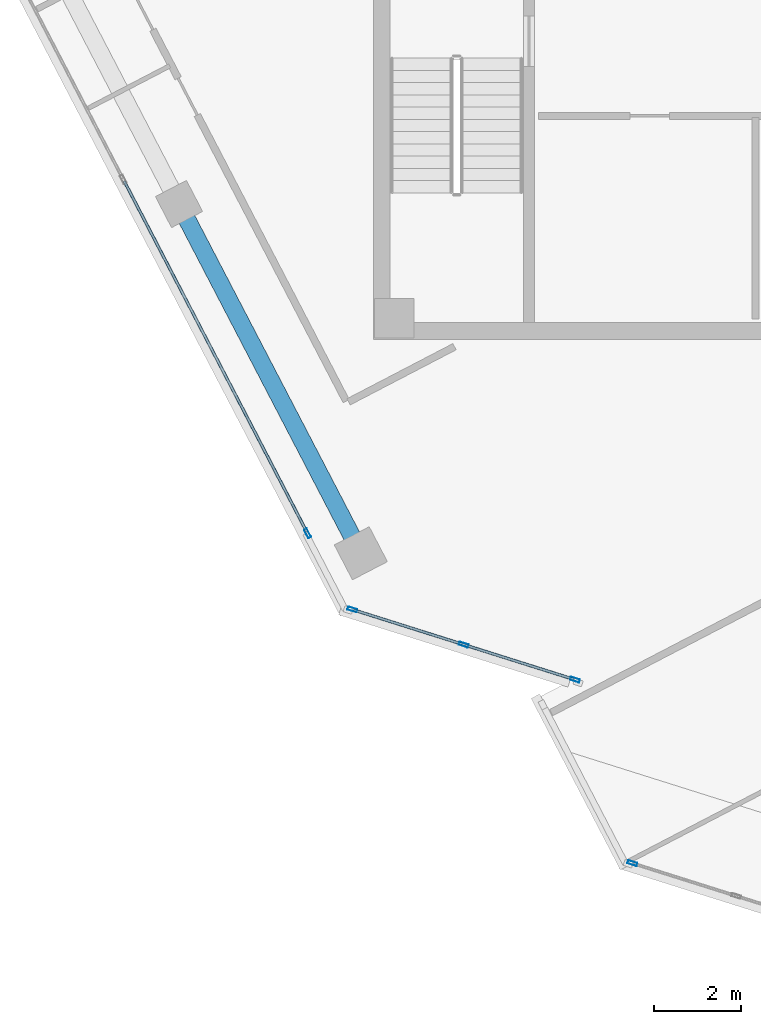
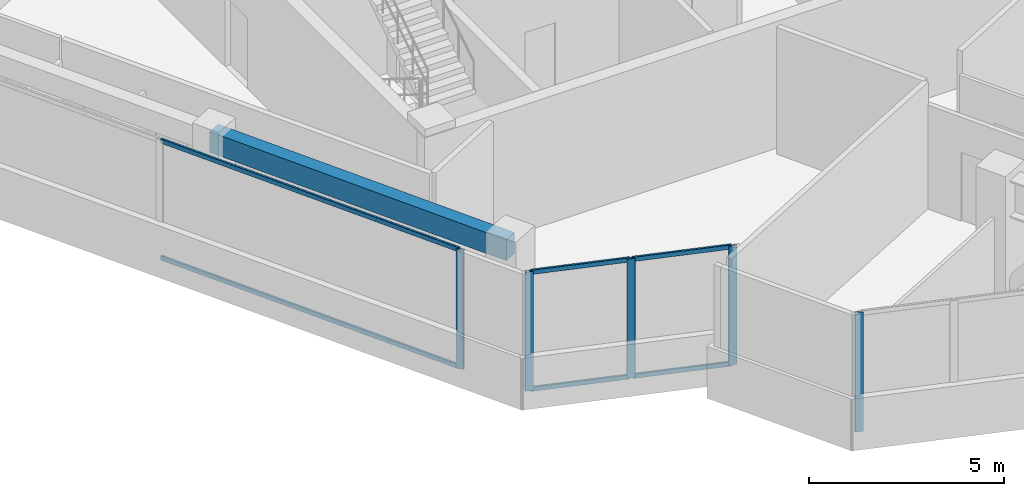
# One storey, part 2 of 17: 11 members, 1 beam, 3 elements without a shape of their own.
"""IFC4 building model written with IfcOpenShell, lengths in metres."""

import ifcopenshell
import ifcopenshell.guid

model = None  # the IFC model being written
_history = None  # IfcOwnerHistory: only IFC2X3 demands one
_inside = {}  # id of a spatial element -> (the spatial element, [elements in it])
_under = {}  # id of a project, library or spatial element -> (it, [spatial elements below it])
_declared = {}  # id of a project -> (the project, [libraries it declares])
_typed = {}  # id of a type object -> (the type object, [elements of that type])
_made_of = {}  # id of a material, layer set ... -> (it, [elements and type objects made of it])


def new_model(schema):
    """Start an empty IFC model of exactly this schema.

    Asked for "IFC4X3", IfcOpenShell would pick the latest addendum, in which some entities
    have other attributes; the version numbers below select the first issue.
    IFC2X3 requires an IfcOwnerHistory on every rooted entity: one is made here for all.
    """
    global model, _history
    if schema == "IFC4X3":
        model = ifcopenshell.file(schema_version=(4, 3, 0, 0))
    else:
        model = ifcopenshell.file(schema=schema)
    _inside.clear()
    _under.clear()
    _declared.clear()
    _typed.clear()
    _made_of.clear()
    _history = None
    if model.schema == "IFC2X3":
        org = make("IfcOrganization", Name="unknown")
        user = make(
            "IfcPersonAndOrganization",
            ThePerson=make("IfcPerson", FamilyName="unknown"),
            TheOrganization=org,
        )
        app = make(
            "IfcApplication",
            ApplicationDeveloper=org,
            Version="unknown",
            ApplicationFullName="unknown",
            ApplicationIdentifier="unknown",
        )
        _history = make(
            "IfcOwnerHistory",
            OwningUser=user,
            OwningApplication=app,
            ChangeAction="ADDED",
            CreationDate=0,
        )
    return model


def make(cls, **values):
    """One entity of the class cls with the attributes given. An attribute that is None is left unset."""
    return model.create_entity(
        cls, **{name: value for name, value in values.items() if value is not None}
    )


def rooted(cls, **values):
    """An entity with a GlobalId (a new one), such as an element, a storey or a relation."""
    return make(cls, GlobalId=ifcopenshell.guid.new(), OwnerHistory=_history, **values)


def si_unit(unit_type, name, prefix=None):
    """IfcSIUnit, for example si_unit("LENGTHUNIT", "METRE", prefix="MILLI")."""
    return make("IfcSIUnit", UnitType=unit_type, Prefix=prefix, Name=name)


def assignment(units):
    """IfcUnitAssignment: the units of a project."""
    return None if units is None else make("IfcUnitAssignment", Units=units)


def point(xyz):
    """IfcCartesianPoint."""
    return None if xyz is None else make("IfcCartesianPoint", Coordinates=xyz)


def direction(xyz):
    """IfcDirection."""
    return None if xyz is None else make("IfcDirection", DirectionRatios=xyz)


def frame(location, z_axis=None, x_axis=None):
    """IfcAxis2Placement3D, a coordinate frame: its origin and axes. An axis left out is left unset."""
    return make(
        "IfcAxis2Placement3D",
        Location=point(location),
        Axis=direction(z_axis),
        RefDirection=direction(x_axis),
    )


def frame_2d(location, x_axis=None):
    """IfcAxis2Placement2D, a coordinate frame in the plane: its origin and x axis."""
    return make(
        "IfcAxis2Placement2D", Location=point(location), RefDirection=direction(x_axis)
    )


def origin():
    """The frame at (0, 0, 0) with its axes left unset."""
    return frame((0.0, 0.0, 0.0))


def origin_2d():
    """The frame at (0, 0) in the plane with its x axis left unset."""
    return frame_2d((0.0, 0.0))


def place(relative_to, where):
    """IfcLocalPlacement: puts the frame where relative to a parent placement (None: the world)."""
    return make(
        "IfcLocalPlacement", PlacementRelTo=relative_to, RelativePlacement=where
    )


def context(
    kind, dimensions, precision=None, world=None, true_north=None, identifier=None
):
    """IfcGeometricRepresentationContext, for example the 3D "Model" context."""
    return make(
        "IfcGeometricRepresentationContext",
        ContextIdentifier=identifier,
        ContextType=kind,
        CoordinateSpaceDimension=dimensions,
        Precision=precision,
        WorldCoordinateSystem=world,
        TrueNorth=true_north,
    )


def subcontext(parent, identifier, kind, view, scale=None):
    """IfcGeometricRepresentationSubContext, for example "Body" below "Model"."""
    return make(
        "IfcGeometricRepresentationSubContext",
        ContextIdentifier=identifier,
        ContextType=kind,
        ParentContext=parent,
        TargetScale=scale,
        TargetView=view,
    )


def project(units=None, contexts=None):
    """IfcProject with its units and contexts."""
    return rooted(
        "IfcProject",
        Name="project",
        RepresentationContexts=contexts,
        UnitsInContext=assignment(units),
    )


def spatial(cls, under=None, at=None, **own):
    """A site, building, storey or space (cls), placed at a placement, below another one or the project."""
    s = rooted(cls, ObjectPlacement=at, **own)
    if under is not None:
        _under.setdefault(under.id(), (under, []))[1].append(s)
    return s


def profile(cls, at=None, kind="AREA", **sizes):
    """A parametric profile (cls). Its sizes go by their IFC names, for example OverallWidth=200.0."""
    return make(cls, ProfileType=kind, Position=at, **sizes)


def rectangle(**sizes):
    """IfcRectangleProfileDef."""
    return profile("IfcRectangleProfileDef", **sizes)


def hollow_rectangle(**sizes):
    """IfcRectangleHollowProfileDef."""
    return profile("IfcRectangleHollowProfileDef", **sizes)


def extrude(swept, where, along, depth):
    """IfcExtrudedAreaSolid: the profile swept, set in the frame where, extruded along a direction by depth."""
    return make(
        "IfcExtrudedAreaSolid",
        SweptArea=swept,
        Position=where,
        ExtrudedDirection=direction(along),
        Depth=depth,
    )


def shape(context_of_items, identifier, shape_type, items):
    """IfcShapeRepresentation: the items that make up one representation, for example the "Body"."""
    return make(
        "IfcShapeRepresentation",
        ContextOfItems=context_of_items,
        RepresentationIdentifier=identifier,
        RepresentationType=shape_type,
        Items=items,
    )


def source(mapping_origin, context_of_items, identifier, shape_type, items):
    """IfcRepresentationMap: a shape defined once, which mapped items show again and again."""
    return make(
        "IfcRepresentationMap",
        MappingOrigin=mapping_origin,
        MappedRepresentation=shape(context_of_items, identifier, shape_type, items),
    )


def transform(
    local_origin,
    x_axis=None,
    y_axis=None,
    z_axis=None,
    scale=None,
    scale2=None,
    scale3=None,
    uniform=True,
):
    """IfcCartesianTransformationOperator3D, or its non-uniform kind. x_axis, y_axis, z_axis: its Axis1, 2, 3."""
    if uniform:
        return make(
            "IfcCartesianTransformationOperator3D",
            Axis1=direction(x_axis),
            Axis2=direction(y_axis),
            LocalOrigin=point(local_origin),
            Scale=scale,
            Axis3=direction(z_axis),
        )
    return make(
        "IfcCartesianTransformationOperator3DnonUniform",
        Axis1=direction(x_axis),
        Axis2=direction(y_axis),
        LocalOrigin=point(local_origin),
        Scale=scale,
        Axis3=direction(z_axis),
        Scale2=scale2,
        Scale3=scale3,
    )


def mapped(mapping_source, mapping_target):
    """IfcMappedItem: shows the shape of a source again, moved by a transform."""
    return make(
        "IfcMappedItem", MappingSource=mapping_source, MappingTarget=mapping_target
    )


def material(Name=None, Category=None):
    """IfcMaterial."""
    return make("IfcMaterial", Name=Name, Category=Category)


def material_profile(
    of_material, cross_section, Name=None, Category=None, Priority=None
):
    """IfcMaterialProfile: a cross section and its material."""
    return make(
        "IfcMaterialProfile",
        Name=Name,
        Material=of_material,
        Profile=cross_section,
        Priority=Priority,
        Category=Category,
    )


def profile_set(profiles, Name=None, composite=None):
    """IfcMaterialProfileSet."""
    return make(
        "IfcMaterialProfileSet",
        Name=Name,
        MaterialProfiles=profiles,
        CompositeProfile=composite,
    )


def made_of(thing, what):
    """Note that an element or type object is made of a material, layer set ...; save() writes the relation."""
    if what is not None:
        _made_of.setdefault(what.id(), (what, []))[1].append(thing)
    return thing


def type_object(cls, material=None, **own):
    """A type object (cls), such as IfcWallType, which elements share."""
    return made_of(rooted(cls, **own), material)


def element(
    cls,
    number,
    at=None,
    inside=None,
    cuts=None,
    type_object=None,
    material=None,
    context=None,
    identifier="Body",
    shape_type=None,
    held_by="IfcProductDefinitionShape",
    body=None,
    shapes=None,
    **own,
):
    """One element of the class cls, such as IfcWall. Its Tag is "e" and its number.

    at: its placement. inside: the storey or other place that contains it. cuts: it is an
    opening in that element (IfcRelVoidsElement). A single representation is given by context,
    identifier, shape_type and body (its items); several are given by shapes. held_by: the class
    of the entity that holds the representations. save() writes the other relations.
    """
    e = rooted(cls, Tag="e%d" % number, ObjectPlacement=at, **own)
    if body is not None:
        shapes = [shape(context, identifier, shape_type, body)]
    if shapes is not None:
        e.Representation = make(held_by, Representations=shapes)
    if inside is not None:
        _inside.setdefault(inside.id(), (inside, []))[1].append(e)
    if cuts is not None:
        rooted(
            "IfcRelVoidsElement", RelatingBuildingElement=cuts, RelatedOpeningElement=e
        )
    if type_object is not None:
        _typed.setdefault(type_object.id(), (type_object, []))[1].append(e)
    return made_of(e, material)


def aggregate(whole, parts):
    """IfcRelAggregates: a whole, such as a stair, and the parts it consists of."""
    return rooted("IfcRelAggregates", RelatingObject=whole, RelatedObjects=parts)


def save(model, path):
    """Write the relations noted so far, then the file.

    IfcRelAggregates (storeys below a building ...), IfcRelContainedInSpatialStructure (elements
    in a storey), IfcRelDefinesByType, IfcRelAssociatesMaterial and IfcRelDeclares: one each for
    every whole, place, type object, material and project.
    """
    for whole, parts in _under.values():
        aggregate(whole, parts)
    for where, things in _inside.values():
        rooted(
            "IfcRelContainedInSpatialStructure",
            RelatedElements=things,
            RelatingStructure=where,
        )
    for kind, things in _typed.values():
        rooted("IfcRelDefinesByType", RelatedObjects=things, RelatingType=kind)
    for what, things in _made_of.values():
        rooted("IfcRelAssociatesMaterial", RelatedObjects=things, RelatingMaterial=what)
    for by, libraries in _declared.values():
        rooted("IfcRelDeclares", RelatingContext=by, RelatedDefinitions=libraries)
    model.write(path)


model = new_model("IFC4")

# Units and contexts
model_context = context("Model", 3, precision=1e-05, world=origin(), true_north=direction((0.0, 1.0)))
body_context = subcontext(model_context, "Body", "Model", "MODEL_VIEW")
ifc_project = project(units=[si_unit("LENGTHUNIT", "METRE"), si_unit("AREAUNIT", "SQUARE_METRE"), si_unit("VOLUMEUNIT", "CUBIC_METRE"), si_unit("PLANEANGLEUNIT", "RADIAN"), si_unit("MASSUNIT", "GRAM", prefix="KILO")], contexts=[model_context])

# Site, building, storey
site_placement = place(None, origin())
site = spatial("IfcSite", under=ifc_project, at=site_placement, CompositionType="ELEMENT")
building_placement = place(site_placement, origin())
building = spatial("IfcBuilding", under=site, at=building_placement, Name="Torre Montelarca", CompositionType="ELEMENT")
storey_placement = place(building_placement, frame((0.0, 0.0, 332.39990234375)))
storey = spatial("IfcBuildingStorey", under=building, at=storey_placement, Name="L75", CompositionType="ELEMENT", Elevation=332.39990234375)

# Beam
ifc_material_1 = material(Name="Concrete C40/50", Category="concrete")
ifc_material_profile_1 = material_profile(ifc_material_1, rectangle(XDim=0.39990234375, YDim=0.64990234375, at=origin_2d()), Name="RCB400X650", Category="concrete")
ifc_profile_set_1 = profile_set([ifc_material_profile_1], Name="Concrete C40/50")
beam_type = type_object("IfcBeamType", Name="BM-SP-RC650-EXT", PredefinedType="SPANDREL", material=ifc_profile_set_1)
shared_shape_1 = source(origin(), body_context, "Body", "SweptSolid", [
    extrude(rectangle(XDim=0.39990234375, YDim=0.64990234375, at=origin_2d()), origin(), (0.0, 0.0, 1.0), 9.0),
])
beam_placement = place(storey_placement, frame((4.627197265625, 27.16259765625, 3.635009765625), z_axis=(0.461748143991, -0.887011077451, 0.0), x_axis=(0.887011077451, 0.461748143991, 0.0)))
element("IfcBeam", 1, at=beam_placement, inside=storey, type_object=beam_type, Name="L75 Grid Girder X 18.0-27.0 at Y=14.8", PredefinedType="SPANDREL", context=body_context, shape_type="MappedRepresentation", body=[
    mapped(shared_shape_1, transform((0.0, 0.0, 0.0), scale=1.0)),
])

# Curtain wall, members
ifc_material_2 = material(Name="Insulated low-E laminated glass", Category="glass")
curtain_wall_type = type_object("IfcCurtainWallType", Name="CW-SYS-Z4", PredefinedType="USERDEFINED", material=ifc_material_2)
curtain_wall_1_placement = place(storey_placement, origin())
curtain_wall_1 = element("IfcCurtainWall", 2, at=curtain_wall_1_placement, inside=storey, type_object=curtain_wall_type, Name="L75 Curtain Wall Run CW-T3-L75-E02-B1", ObjectType="UNITISED GLAZING", PredefinedType="USERDEFINED")
ifc_material_3 = material(Name="Anodised aluminium AA 6063-T6", Category="aluminium")
ifc_material_profile_2 = material_profile(ifc_material_3, hollow_rectangle(XDim=0.06494140625, YDim=0.139892578125, WallThickness=0.00390625, InnerFilletRadius=0.00390625, OuterFilletRadius=0.008056640625, at=origin_2d()), Name="ALU65X140X4", Category="aluminium")
ifc_profile_set_2 = profile_set([ifc_material_profile_2], Name="Anodised aluminium AA 6063-T6")
member_type_1 = type_object("IfcMemberType", Name="CWT-ALU140", PredefinedType="USERDEFINED", material=ifc_profile_set_2)
shared_shape_2 = source(origin(), body_context, "Body", "SweptSolid", [
    extrude(hollow_rectangle(XDim=0.06494140625, YDim=0.139892578125, WallThickness=0.00390625, InnerFilletRadius=0.00390625, OuterFilletRadius=0.008056640625, at=origin_2d()), origin(), (0.0, 0.0, 1.0), 2.59228515625),
])
member_1_placement = place(storey_placement, frame((11.170654296875, 17.080078125, 0.03271484375), z_axis=(0.953717783551, -0.300703158179, 0.0), x_axis=(0.300703158179, 0.953717783551, 0.0)))
member_1 = element("IfcMember", 3, at=member_1_placement, type_object=member_type_1, Name="CW transom 2.1", ObjectType="TRANSOM", PredefinedType="USERDEFINED", context=body_context, shape_type="MappedRepresentation", body=[
    mapped(shared_shape_2, transform((0.0, 0.0, 0.0), scale=1.0)),
])
member_2_placement = place(storey_placement, frame((11.170654296875, 17.080078125, 3.6875), z_axis=(0.953717783551, -0.300703158179, 0.0), x_axis=(0.300703158179, 0.953717783551, 0.0)))
member_2 = element("IfcMember", 4, at=member_2_placement, type_object=member_type_1, Name="CW transom 2.2", ObjectType="TRANSOM", PredefinedType="USERDEFINED", context=body_context, shape_type="MappedRepresentation", body=[
    mapped(shared_shape_2, transform((0.0, 0.0, 0.0), scale=1.0)),
])

# Curtain wall, member
curtain_wall_2_placement = place(storey_placement, origin())
curtain_wall_2 = element("IfcCurtainWall", 5, at=curtain_wall_2_placement, inside=storey, type_object=curtain_wall_type, Name="L75 Curtain Wall Run CW-T3-L75-E01-B1", ObjectType="UNITISED GLAZING", PredefinedType="USERDEFINED")
ifc_material_profile_3 = material_profile(ifc_material_3, hollow_rectangle(XDim=0.074951171875, YDim=0.219970703125, WallThickness=0.0048828125, InnerFilletRadius=0.0048828125, OuterFilletRadius=0.010009765625, at=origin_2d()), Name="ALU75X220X5", Category="aluminium")
ifc_profile_set_3 = profile_set([ifc_material_profile_3], Name="Anodised aluminium AA 6063-T6")
member_type_2 = type_object("IfcMemberType", Name="CWM-ALU220", PredefinedType="MULLION", material=ifc_profile_set_3)
shared_shape_3 = source(origin(), body_context, "Body", "SweptSolid", [
    extrude(hollow_rectangle(XDim=0.074951171875, YDim=0.219970703125, WallThickness=0.0048828125, InnerFilletRadius=0.0048828125, OuterFilletRadius=0.010009765625, at=origin_2d()), origin(), (0.0, 0.0, 1.0), 3.72021484375),
])
member_3_placement = place(storey_placement, frame((7.564697265625, 19.6357421875, 0.0), z_axis=(0.0, 0.0, 1.0), x_axis=(0.887011429119, 0.461747468442, 0.0)))
member_3 = element("IfcMember", 6, at=member_3_placement, type_object=member_type_2, Name="CW mullion 3", PredefinedType="MULLION", context=body_context, shape_type="MappedRepresentation", body=[
    mapped(shared_shape_3, transform((0.0, 0.0, 0.0), scale=1.0)),
])

# Member
member_4_placement = place(storey_placement, frame((8.5908203125, 17.893310546875, 0.0), z_axis=(0.0, 0.0, 1.0), x_axis=(0.300697870509, 0.953719450714, 0.0)))
member_4 = element("IfcMember", 7, at=member_4_placement, type_object=member_type_2, Name="CW mullion 1", PredefinedType="MULLION", context=body_context, shape_type="MappedRepresentation", body=[
    mapped(shared_shape_3, transform((0.0, 0.0, 0.0), scale=1.0)),
])

member_5_placement = place(storey_placement, frame((11.134765625, 17.09130859375, 0.0), z_axis=(0.0, 0.0, 1.0), x_axis=(0.300697870509, 0.953719450714, 0.0)))
member_5 = element("IfcMember", 8, at=member_5_placement, type_object=member_type_2, Name="CW mullion 2", PredefinedType="MULLION", context=body_context, shape_type="MappedRepresentation", body=[
    mapped(shared_shape_3, transform((0.0, 0.0, 0.0), scale=1.0)),
])

member_6_placement = place(storey_placement, frame((13.678955078125, 16.2890625, 0.0), z_axis=(0.0, 0.0, 1.0), x_axis=(0.300697870509, 0.953719450714, 0.0)))
member_6 = element("IfcMember", 9, at=member_6_placement, type_object=member_type_2, Name="CW mullion 3", PredefinedType="MULLION", context=body_context, shape_type="MappedRepresentation", body=[
    mapped(shared_shape_3, transform((0.0, 0.0, 0.0), scale=1.0)),
])

# Curtain wall, member
curtain_wall_3_placement = place(storey_placement, origin())
curtain_wall_3 = element("IfcCurtainWall", 10, at=curtain_wall_3_placement, inside=storey, type_object=curtain_wall_type, Name="L75 Curtain Wall Run CW-T3-L75-E05-B1", ObjectType="UNITISED GLAZING", PredefinedType="USERDEFINED")
member_7_placement = place(storey_placement, frame((14.991943359375, 12.093994140625, 0.0), z_axis=(0.0, 0.0, 1.0), x_axis=(0.300692834013, 0.953721038655, 0.0)))
member_7 = element("IfcMember", 11, at=member_7_placement, type_object=member_type_2, Name="CW mullion 1", PredefinedType="MULLION", context=body_context, shape_type="MappedRepresentation", body=[
    mapped(shared_shape_3, transform((0.0, 0.0, 0.0), scale=1.0)),
])
aggregate(curtain_wall_3, [member_7])

# Member
shared_shape_4 = source(origin(), body_context, "Body", "SweptSolid", [
    extrude(hollow_rectangle(XDim=0.06494140625, YDim=0.139892578125, WallThickness=0.00390625, InnerFilletRadius=0.00390625, OuterFilletRadius=0.008056640625, at=origin_2d()), origin(), (0.0, 0.0, 1.0), 2.592529296875),
])
member_8_placement = place(storey_placement, frame((8.62646484375, 17.882080078125, 0.03271484375), z_axis=(0.953726298, -0.300676152203, 0.0), x_axis=(0.300676152203, 0.953726298, 0.0)))
member_8 = element("IfcMember", 12, at=member_8_placement, type_object=member_type_1, Name="CW transom 1.1", ObjectType="TRANSOM", PredefinedType="USERDEFINED", context=body_context, shape_type="MappedRepresentation", body=[
    mapped(shared_shape_4, transform((0.0, 0.0, 0.0), scale=1.0)),
])

member_9_placement = place(storey_placement, frame((8.62646484375, 17.882080078125, 3.6875), z_axis=(0.953726298, -0.300676152203, 0.0), x_axis=(0.300676152203, 0.953726298, 0.0)))
member_9 = element("IfcMember", 13, at=member_9_placement, type_object=member_type_1, Name="CW transom 1.2", ObjectType="TRANSOM", PredefinedType="USERDEFINED", context=body_context, shape_type="MappedRepresentation", body=[
    mapped(shared_shape_4, transform((0.0, 0.0, 0.0), scale=1.0)),
])

aggregate(curtain_wall_1, [member_4, member_5, member_6, member_8, member_9, member_1, member_2])

shared_shape_5 = source(origin(), body_context, "Body", "SweptSolid", [
    extrude(hollow_rectangle(XDim=0.06494140625, YDim=0.139892578125, WallThickness=0.00390625, InnerFilletRadius=0.00390625, OuterFilletRadius=0.008056640625, at=origin_2d()), origin(), (0.0, 0.0, 1.0), 9.03955078125),
])
member_10_placement = place(storey_placement, frame((3.373291015625, 27.687255859375, 0.03271484375), z_axis=(0.461760022747, -0.887004893669, 0.0), x_axis=(0.887004893669, 0.461760022747, 0.0)))
member_10 = element("IfcMember", 14, at=member_10_placement, type_object=member_type_1, Name="CW transom 2.1", ObjectType="TRANSOM", PredefinedType="USERDEFINED", context=body_context, shape_type="MappedRepresentation", body=[
    mapped(shared_shape_5, transform((0.0, 0.0, 0.0), scale=1.0)),
])

member_11_placement = place(storey_placement, frame((3.373291015625, 27.687255859375, 3.6875), z_axis=(0.461760022747, -0.887004893669, 0.0), x_axis=(0.887004893669, 0.461760022747, 0.0)))
member_11 = element("IfcMember", 15, at=member_11_placement, type_object=member_type_1, Name="CW transom 2.2", ObjectType="TRANSOM", PredefinedType="USERDEFINED", context=body_context, shape_type="MappedRepresentation", body=[
    mapped(shared_shape_5, transform((0.0, 0.0, 0.0), scale=1.0)),
])

aggregate(curtain_wall_2, [member_3, member_10, member_11])

save(model, "model.ifc")
